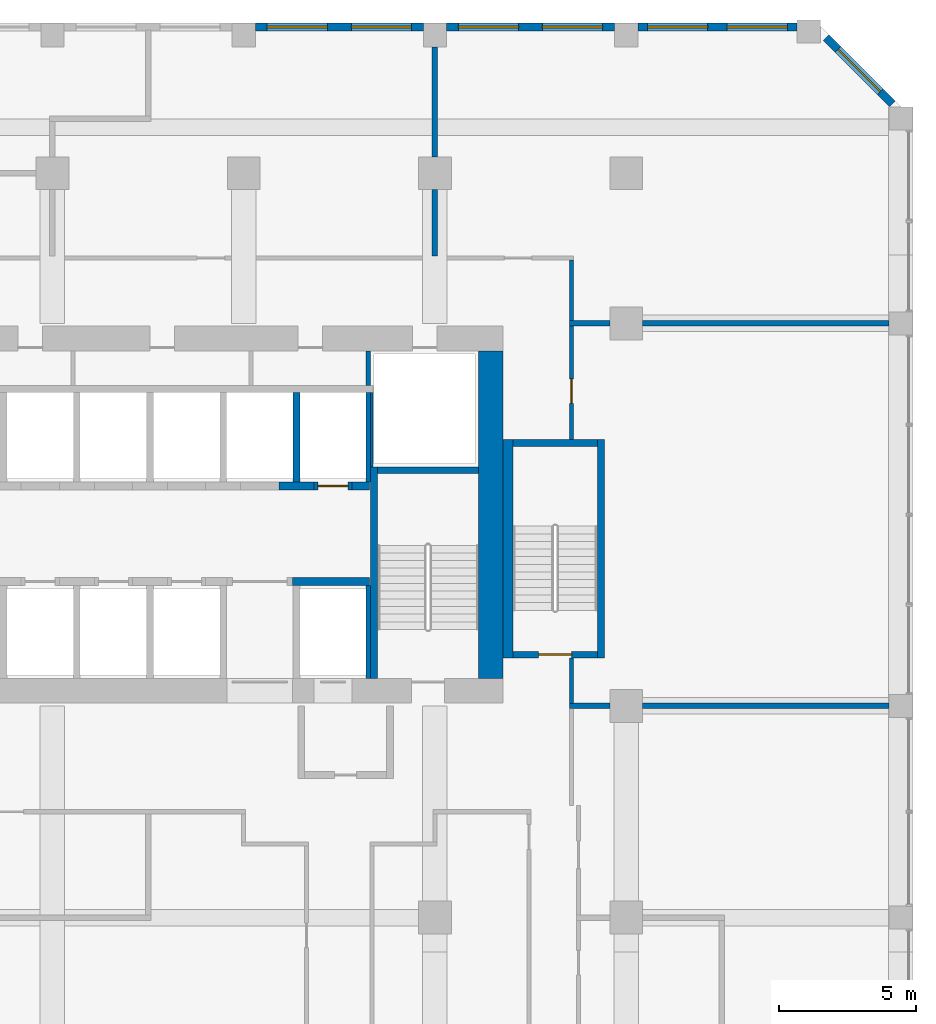
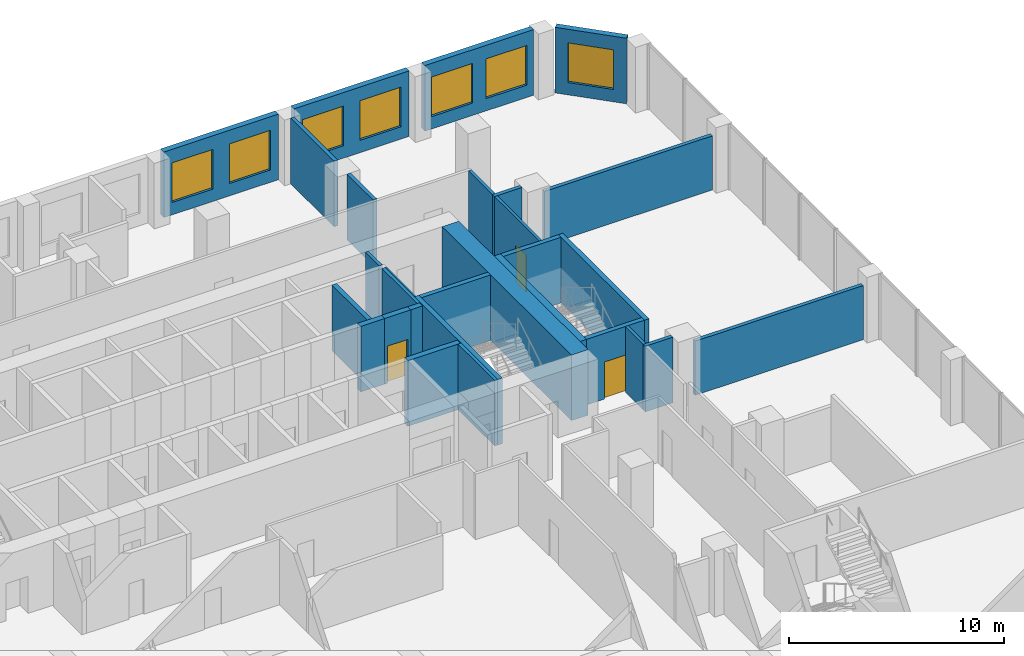
# One storey, part 14 of 17: 29 walls, 7 windows, 3 doors, 10 openings.
"""IFC4 building model written with IfcOpenShell, lengths in metres."""

from ifc_helpers import new_model, si_unit, direction, frame, frame_2d, origin, place, context, subcontext, project, spatial, rectangle, extrude, source, transform, mapped, material, layer, layer_set, type_object, element, fill, save


model = new_model("IFC4")

# Units and contexts
model_context = context("Model", 3, precision=1e-05, world=origin(), true_north=direction((0.0, 1.0)))
body_context = subcontext(model_context, "Body", "Model", "MODEL_VIEW")
ifc_project = project(units=[si_unit("LENGTHUNIT", "METRE"), si_unit("AREAUNIT", "SQUARE_METRE"), si_unit("VOLUMEUNIT", "CUBIC_METRE"), si_unit("PLANEANGLEUNIT", "RADIAN"), si_unit("MASSUNIT", "GRAM", prefix="KILO")], contexts=[model_context])

# Site, building, storey
site_placement = place(None, origin())
site = spatial("IfcSite", under=ifc_project, at=site_placement, CompositionType="ELEMENT")
building_placement = place(site_placement, origin())
building = spatial("IfcBuilding", under=site, at=building_placement, Name="Kilnfold Tower and Market Hall", CompositionType="ELEMENT")
storey_placement = place(building_placement, frame((0.0, 0.0, 100.60009765625)))
storey = spatial("IfcBuildingStorey", under=building, at=storey_placement, Name="L23", CompositionType="ELEMENT", Elevation=100.60009765625)

# Wall, opening, door
ifc_material_1 = material(Name="Gypsum board on steel studs", Category="steel")
ifc_layer_1 = layer(ifc_material_1, 0.14990234375)
ifc_layer_set_1 = layer_set([ifc_layer_1], Name="Gypsum board on steel studs")
wall_type_1 = type_object("IfcWallType", Name="WALL CORRIDOR 150", PredefinedType="PARTITIONING", material=ifc_layer_set_1)
wall_1_placement = place(storey_placement, frame((20.5, 17.75, 0.0), z_axis=(0.0, 0.0, 1.0), x_axis=(0.0, 1.0, 0.0)))
wall_1 = element("IfcWall", 1, at=wall_1_placement, inside=storey, type_object=wall_type_1, Name="Partition LY16.31", PredefinedType="PARTITIONING", context=body_context, shape_type="SweptSolid", body=[
    extrude(rectangle(XDim=4.159912109375, YDim=0.14990234375, at=frame_2d((2.080078125, 0.0))), origin(), (0.0, 0.0, 1.0), 3.719970703125),
])
opening_1_placement = place(wall_1_placement, frame((1.323974609375, 0.0, 0.0)))
opening_1 = element("IfcOpeningElement", 2, at=opening_1_placement, cuts=wall_1, Name="Opening D2", PredefinedType="OPENING", context=body_context, shape_type="SweptSolid", body=[
    extrude(rectangle(XDim=0.89990234375, YDim=2.10009765625, at=frame_2d((0.449951171875, 1.050048828125))), frame((0.0, 0.0849609375, 0.0), z_axis=(0.0, -1.0, 0.0), x_axis=(1.0, 0.0, 0.0)), (0.0, 0.0, 1.0), 0.169921875),
])
ifc_material_2 = material(Name="Timber veneer door leaf in steel frame", Category="steel")
door_type_1 = type_object("IfcDoorType", Name="DOOR ROOM 900 X2100", OperationType="NOTDEFINED", PredefinedType="DOOR", material=ifc_material_2)
door_1_placement = place(opening_1_placement, origin())
door_1 = element("IfcDoor", 3, at=door_1_placement, inside=storey, type_object=door_type_1, Name="Door D2", OperationType="SINGLE_SWING_RIGHT", OverallHeight=2.10009765625, OverallWidth=0.89990234375, PredefinedType="DOOR", context=body_context, shape_type="SweptSolid", body=[
    extrude(rectangle(XDim=0.89990234375, YDim=2.10009765625, at=frame_2d((0.449951171875, 1.050048828125))), frame((0.0, 0.02490234375, 0.0), z_axis=(0.0, -1.0, 0.0), x_axis=(1.0, 0.0, 0.0)), (0.0, 0.0, 1.0), 0.050048828125),
])
fill(opening_1, door_1)

# Walls
wall_2_placement = place(storey_placement, frame((20.5, 8.090087890625, 0.0), z_axis=(0.0, 0.0, 1.0), x_axis=(0.0, 1.0, 0.0)))
element("IfcWall", 4, at=wall_2_placement, inside=storey, type_object=wall_type_1, Name="Partition LY16.32", PredefinedType="PARTITIONING", context=body_context, shape_type="SweptSolid", body=[
    extrude(rectangle(XDim=1.659912109375, YDim=0.14990234375, at=frame_2d((0.830078125, 0.0))), origin(), (0.0, 0.0, 1.0), 3.719970703125),
])
wall_3_placement = place(storey_placement, frame((20.5, 22.090087890625, 0.0), z_axis=(0.0, 0.0, 1.0), x_axis=(0.0, 1.0, 0.0)))
element("IfcWall", 5, at=wall_3_placement, inside=storey, type_object=wall_type_1, Name="Partition LY16.33", PredefinedType="PARTITIONING", context=body_context, shape_type="SweptSolid", body=[
    extrude(rectangle(XDim=2.23486328125, YDim=0.14990234375, at=frame_2d((1.117431640625, 0.0))), origin(), (0.0, 0.0, 1.0), 3.719970703125),
])
ifc_material_3 = material(Name="Gypsum board on steel studs", Category="steel")
ifc_layer_2 = layer(ifc_material_3, 0.199951171875)
ifc_layer_set_2 = layer_set([ifc_layer_2], Name="Gypsum board on steel studs")
wall_type_2 = type_object("IfcWallType", Name="WALL PARTY 200", PredefinedType="PARTITIONING", material=ifc_layer_set_2)
wall_4_placement = place(storey_placement, frame((20.426025390625, 8.0, 0.0), z_axis=(0.0, 0.0, 1.0), x_axis=(1.0, 0.0, 0.0)))
element("IfcWall", 6, at=wall_4_placement, inside=storey, type_object=wall_type_2, Name="Partition LY16.57", PredefinedType="PARTITIONING", context=body_context, shape_type="SweptSolid", body=[
    extrude(rectangle(XDim=1.473876953125, YDim=0.199951171875, at=frame_2d((0.73681640625, 0.0))), origin(), (0.0, 0.0, 1.0), 3.719970703125),
])
for number, where, z_axis, x_axis, name in (
    (7, (23.10009765625, 8.0, 0.0), (0.0, 0.0, 1.0), (1.0, 0.0, 0.0), "Partition LY16.58"),
    (8, (23.10009765625, 22.0, 0.0), (0.0, 0.0, 1.0), (1.0, 0.0, 0.0), "Partition LY16.59"),
):
    element("IfcWall", number, at=place(storey_placement, frame(where, z_axis=z_axis, x_axis=x_axis)), inside=storey, type_object=wall_type_2, Name=name, PredefinedType="PARTITIONING", context=body_context, shape_type="SweptSolid", body=[
        extrude(rectangle(XDim=9.02490234375, YDim=0.199951171875, at=frame_2d((4.512451171875, 0.0))), origin(), (0.0, 0.0, 1.0), 3.06982421875),
    ])
wall_5_placement = place(storey_placement, frame((20.426025390625, 22.0, 0.0), z_axis=(0.0, 0.0, 1.0), x_axis=(1.0, 0.0, 0.0)))
element("IfcWall", 9, at=wall_5_placement, inside=storey, type_object=wall_type_2, Name="Partition LY16.60", PredefinedType="PARTITIONING", context=body_context, shape_type="SweptSolid", body=[
    extrude(rectangle(XDim=1.473876953125, YDim=0.199951171875, at=frame_2d((0.73681640625, 0.0))), origin(), (0.0, 0.0, 1.0), 3.719970703125),
])
wall_6_placement = place(storey_placement, frame((15.5, 28.10009765625, 0.0), z_axis=(0.0, 0.0, 1.0), x_axis=(0.0, 1.0, 0.0)))
element("IfcWall", 10, at=wall_6_placement, inside=storey, type_object=wall_type_2, Name="Partition LY16.61", PredefinedType="PARTITIONING", context=body_context, shape_type="SweptSolid", body=[
    extrude(rectangle(XDim=4.02490234375, YDim=0.199951171875, at=frame_2d((2.012451171875, 0.0))), origin(), (0.0, 0.0, 1.0), 3.719970703125),
])
wall_7_placement = place(storey_placement, frame((15.5, 24.47607421875, 0.0), z_axis=(0.0, 0.0, 1.0), x_axis=(0.0, 1.0, 0.0)))
element("IfcWall", 11, at=wall_7_placement, inside=storey, type_object=wall_type_2, Name="Partition LY16.62", PredefinedType="PARTITIONING", context=body_context, shape_type="SweptSolid", body=[
    extrude(rectangle(XDim=2.423828125, YDim=0.199951171875, at=frame_2d((1.2119140625, 0.0))), origin(), (0.0, 0.0, 1.0), 3.719970703125),
])
ifc_material_4 = material(Name="Concrete C70", Category="concrete")
ifc_layer_3 = layer(ifc_material_4, 0.25)
ifc_layer_set_3 = layer_set([ifc_layer_3], Name="Concrete C70")
wall_type_3 = type_object("IfcWallType", Name="CORE WALL 250 C70", PredefinedType="SHEAR", material=ifc_layer_set_3)
shared_shape_1 = source(origin(), body_context, "Body", "SweptSolid", [
    extrude(rectangle(XDim=7.75, YDim=0.25, at=frame_2d((3.875, 0.0))), origin(), (0.0, 0.0, 1.0), 3.719970703125),
])
wall_8_placement = place(storey_placement, frame((13.27490234375, 9.0, 0.0), z_axis=(0.0, 0.0, 1.0), x_axis=(0.0, 1.0, 0.0)))
element("IfcWall", 12, at=wall_8_placement, inside=storey, type_object=wall_type_3, Name="Stair enclosure ST2", PredefinedType="SHEAR", context=body_context, shape_type="MappedRepresentation", body=[
    mapped(shared_shape_1, transform((0.0, 0.0, 0.0))),
])
shared_shape_2 = source(origin(), body_context, "Body", "SweptSolid", [
    extrude(rectangle(XDim=3.7001953125, YDim=0.25, at=frame_2d((1.85009765625, 0.0))), origin(), (0.0, 0.0, 1.0), 3.719970703125),
])
wall_9_placement = place(storey_placement, frame((13.39990234375, 16.625, 0.0), z_axis=(0.0, 0.0, 1.0), x_axis=(1.0, 0.0, 0.0)))
element("IfcWall", 13, at=wall_9_placement, inside=storey, type_object=wall_type_3, Name="Stair enclosure ST2", PredefinedType="SHEAR", context=body_context, shape_type="MappedRepresentation", body=[
    mapped(shared_shape_2, transform((0.0, 0.0, 0.0))),
])
shared_shape_3 = source(origin(), body_context, "Body", "SweptSolid", [
    extrude(rectangle(XDim=8.0, YDim=0.25, at=frame_2d((4.0, 0.0))), origin(), (0.0, 0.0, 1.0), 3.719970703125),
])
wall_10_placement = place(storey_placement, frame((21.574951171875, 9.75, 0.0), z_axis=(0.0, 0.0, 1.0), x_axis=(0.0, 1.0, 0.0)))
element("IfcWall", 14, at=wall_10_placement, inside=storey, type_object=wall_type_3, Name="Stair enclosure ST5", PredefinedType="SHEAR", context=body_context, shape_type="MappedRepresentation", body=[
    mapped(shared_shape_3, transform((0.0, 0.0, 0.0))),
])

# Wall, opening, door
shared_shape_4 = source(origin(), body_context, "Body", "SweptSolid", [
    extrude(rectangle(XDim=3.099853515625, YDim=0.25, at=frame_2d((1.5498046875, 0.0))), origin(), (0.0, 0.0, 1.0), 3.719970703125),
])
wall_11_placement = place(storey_placement, frame((18.35009765625, 9.875, 0.0), z_axis=(0.0, 0.0, 1.0), x_axis=(1.0, 0.0, 0.0)))
wall_11 = element("IfcWall", 15, at=wall_11_placement, inside=storey, type_object=wall_type_3, Name="Stair enclosure ST5", PredefinedType="SHEAR", context=body_context, shape_type="MappedRepresentation", body=[
    mapped(shared_shape_4, transform((0.0, 0.0, 0.0))),
])
opening_2_placement = place(wall_11_placement, frame((0.949951171875, 0.0, 0.0)))
opening_2 = element("IfcOpeningElement", 16, at=opening_2_placement, cuts=wall_11, Name="Opening SD1", PredefinedType="OPENING", context=body_context, shape_type="SweptSolid", body=[
    extrude(rectangle(XDim=1.199951171875, YDim=2.10009765625, at=frame_2d((0.60009765625, 1.050048828125))), frame((0.0, 0.135009765625, 0.0), z_axis=(0.0, -1.0, 0.0), x_axis=(1.0, 0.0, 0.0)), (0.0, 0.0, 1.0), 0.27001953125),
])
ifc_material_5 = material(Name="Steel door set with fire-resisting leaf", Category="steel")
door_type_2 = type_object("IfcDoorType", Name="STAIR FLOOR DOOR 1200X2100", OperationType="NOTDEFINED", PredefinedType="DOOR", material=ifc_material_5)
door_2_placement = place(opening_2_placement, origin())
door_2 = element("IfcDoor", 17, at=door_2_placement, inside=storey, type_object=door_type_2, Name="Exit stair ST5 door", OperationType="DOUBLE_DOOR_SINGLE_SWING", OverallHeight=2.10009765625, OverallWidth=1.199951171875, PredefinedType="DOOR", context=body_context, shape_type="SweptSolid", body=[
    extrude(rectangle(XDim=1.199951171875, YDim=2.10009765625, at=frame_2d((0.60009765625, 1.050048828125))), frame((0.0, 0.02490234375, 0.0), z_axis=(0.0, -1.0, 0.0), x_axis=(1.0, 0.0, 0.0)), (0.0, 0.0, 1.0), 0.050048828125),
])
fill(opening_2, door_2)

# Walls
wall_12_placement = place(storey_placement, frame((18.35009765625, 17.625, 0.0), z_axis=(0.0, 0.0, 1.0), x_axis=(1.0, 0.0, 0.0)))
element("IfcWall", 18, at=wall_12_placement, inside=storey, type_object=wall_type_3, Name="Stair enclosure ST5", PredefinedType="SHEAR", context=body_context, shape_type="MappedRepresentation", body=[
    mapped(shared_shape_4, transform((0.0, 0.0, 0.0))),
])
ifc_material_6 = material(Name="Concrete C70", Category="concrete")
ifc_layer_4 = layer(ifc_material_6, 0.300048828125)
ifc_layer_set_4 = layer_set([ifc_layer_4], Name="Concrete C70")
wall_type_4 = type_object("IfcWallType", Name="CORE WALL 300 C70", PredefinedType="SHEAR", material=ifc_layer_set_4)
shared_shape_5 = source(origin(), body_context, "Body", "SweptSolid", [
    extrude(rectangle(XDim=1.280029296875, YDim=0.300048828125, at=frame_2d((0.64013671875, 0.0))), origin(), (0.0, 0.0, 1.0), 3.719970703125),
])
wall_13_placement = place(storey_placement, frame((9.7900390625, 16.050048828125, 0.0), z_axis=(0.0, 0.0, 1.0), x_axis=(1.0, 0.0, 0.0)))
element("IfcWall", 19, at=wall_13_placement, inside=storey, type_object=wall_type_4, Name="Core spine wall", PredefinedType="SHEAR", context=body_context, shape_type="MappedRepresentation", body=[
    mapped(shared_shape_5, transform((0.0, 0.0, 0.0))),
])
shared_shape_6 = source(origin(), body_context, "Body", "SweptSolid", [
    extrude(rectangle(XDim=2.820068359375, YDim=0.300048828125, at=frame_2d((1.41015625, 0.0))), origin(), (0.0, 0.0, 1.0), 3.719970703125),
])
wall_14_placement = place(storey_placement, frame((10.2900390625, 12.550048828125, 0.0), z_axis=(0.0, 0.0, 1.0), x_axis=(1.0, 0.0, 0.0)))
element("IfcWall", 20, at=wall_14_placement, inside=storey, type_object=wall_type_4, Name="Core spine wall", PredefinedType="SHEAR", context=body_context, shape_type="MappedRepresentation", body=[
    mapped(shared_shape_6, transform((0.0, 0.0, 0.0))),
])
shared_shape_7 = source(origin(), body_context, "Body", "SweptSolid", [
    extrude(rectangle(XDim=0.64013671875, YDim=0.300048828125, at=frame_2d((0.320068359375, 0.0))), origin(), (0.0, 0.0, 1.0), 3.719970703125),
])
wall_15_placement = place(storey_placement, frame((12.469970703125, 16.050048828125, 0.0), z_axis=(0.0, 0.0, 1.0), x_axis=(1.0, 0.0, 0.0)))
element("IfcWall", 21, at=wall_15_placement, inside=storey, type_object=wall_type_4, Name="Core spine wall", PredefinedType="SHEAR", context=body_context, shape_type="MappedRepresentation", body=[
    mapped(shared_shape_7, transform((0.0, 0.0, 0.0))),
])
ifc_material_7 = material(Name="Concrete C70", Category="concrete")
ifc_layer_5 = layer(ifc_material_7, 0.89990234375)
ifc_layer_set_5 = layer_set([ifc_layer_5], Name="Concrete C70")
wall_type_5 = type_object("IfcWallType", Name="CORE WALL 900 C70", PredefinedType="SHEAR", material=ifc_layer_set_5)
shared_shape_8 = source(origin(), body_context, "Body", "SweptSolid", [
    extrude(rectangle(XDim=12.0, YDim=0.89990234375, at=frame_2d((6.0, 0.0))), origin(), (0.0, 0.0, 1.0), 3.719970703125),
])
wall_16_placement = place(storey_placement, frame((17.550048828125, 9.0, 0.0), z_axis=(0.0, 0.0, 1.0), x_axis=(0.0, 1.0, 0.0)))
element("IfcWall", 22, at=wall_16_placement, inside=storey, type_object=wall_type_5, Name="Core outer wall east", PredefinedType="SHEAR", context=body_context, shape_type="MappedRepresentation", body=[
    mapped(shared_shape_8, transform((0.0, 0.0, 0.0))),
])
ifc_material_8 = material(Name="Concrete C70", Category="concrete")
ifc_layer_6 = layer(ifc_material_8, 0.35009765625)
ifc_layer_set_6 = layer_set([ifc_layer_6], Name="Concrete C70")
wall_type_6 = type_object("IfcWallType", Name="CORE WALL 350 C70", PredefinedType="SHEAR", material=ifc_layer_set_6)
shared_shape_9 = source(origin(), body_context, "Body", "SweptSolid", [
    extrude(rectangle(XDim=8.0, YDim=0.35009765625, at=frame_2d((4.0, 0.0))), origin(), (0.0, 0.0, 1.0), 3.719970703125),
])
wall_17_placement = place(storey_placement, frame((18.175048828125, 9.75, 0.0), z_axis=(0.0, 0.0, 1.0), x_axis=(0.0, 1.0, 0.0)))
element("IfcWall", 23, at=wall_17_placement, inside=storey, type_object=wall_type_6, Name="Stair enclosure ST5", PredefinedType="SHEAR", context=body_context, shape_type="MappedRepresentation", body=[
    mapped(shared_shape_9, transform((0.0, 0.0, 0.0))),
])

# Wall, opening, window
ifc_material_9 = material(Name="Precast concrete C50/60", Category="concrete")
ifc_layer_7 = layer(ifc_material_9, 0.300048828125)
ifc_layer_set_7 = layer_set([ifc_layer_7], Name="Precast concrete C50/60")
wall_type_7 = type_object("IfcWallType", Name="PRECAST WALL 300", PredefinedType="SOLIDWALL", material=ifc_layer_set_7)
shared_shape_10 = source(origin(), body_context, "Body", "SweptSolid", [
    extrude(rectangle(XDim=3.429443359375, YDim=0.300048828125, at=frame_2d((1.71484375, 0.0))), origin(), (0.0, 0.0, 1.0), 3.719970703125),
])
wall_18_placement = place(storey_placement, frame((32.243896484375, 30.0439453125, 0.0), z_axis=(0.0, 0.0, 1.0), x_axis=(-0.707106781187, 0.707106781187, 0.0)))
wall_18 = element("IfcWall", 24, at=wall_18_placement, inside=storey, type_object=wall_type_7, Name="External wall L23 NE", PredefinedType="SOLIDWALL", context=body_context, shape_type="MappedRepresentation", body=[
    mapped(shared_shape_10, transform((0.0, 0.0, 0.0))),
])
opening_3_placement = place(wall_18_placement, frame((0.61474609375, 0.0, 0.699951171875)))
opening_3 = element("IfcOpeningElement", 25, at=opening_3_placement, cuts=wall_18, Name="Opening W1", PredefinedType="OPENING", context=body_context, shape_type="SweptSolid", body=[
    extrude(rectangle(XDim=2.199951171875, YDim=2.25, at=frame_2d((1.10009765625, 1.125))), frame((0.0, 0.16015625, 0.0), z_axis=(0.0, -1.0, 0.0), x_axis=(1.0, 0.0, 0.0)), (0.0, 0.0, 1.0), 0.320068359375),
])
ifc_material_10 = material(Name="Aluminium frame and double glazing", Category="aluminium")
window_type = type_object("IfcWindowType", Name="WINDOW W1 2200X2250", PartitioningType="SINGLE_PANEL", PredefinedType="WINDOW", material=ifc_material_10)
window_1_placement = place(opening_3_placement, origin())
window_1 = element("IfcWindow", 26, at=window_1_placement, inside=storey, type_object=window_type, Name="Window W1 L23 NE-1", OverallHeight=2.25, OverallWidth=2.199951171875, PartitioningType="SINGLE_PANEL", PredefinedType="WINDOW", context=body_context, shape_type="SweptSolid", body=[
    extrude(rectangle(XDim=2.199951171875, YDim=2.25, at=frame_2d((1.10009765625, 1.125))), frame((0.0, 0.030029296875, 0.0), z_axis=(0.0, -1.0, 0.0), x_axis=(1.0, 0.0, 0.0)), (0.0, 0.0, 1.0), 0.06005859375),
])
fill(opening_3, window_1)

# Wall, openings, windows
shared_shape_11 = source(origin(), body_context, "Body", "SweptSolid", [
    extrude(rectangle(XDim=5.831787109375, YDim=0.300048828125, at=frame_2d((2.916015625, 0.0))), origin(), (0.0, 0.0, 1.0), 3.719970703125),
])
wall_19_placement = place(storey_placement, frame((28.7568359375, 32.85009765625, 0.0), z_axis=(0.0, 0.0, 1.0), x_axis=(-1.0, 0.0, 0.0)))
wall_19 = element("IfcWall", 27, at=wall_19_placement, inside=storey, type_object=wall_type_7, Name="External wall L23 N", PredefinedType="SOLIDWALL", context=body_context, shape_type="MappedRepresentation", body=[
    mapped(shared_shape_11, transform((0.0, 0.0, 0.0))),
])
opening_4_placement = place(wall_19_placement, frame((0.35791015625, 0.0, 0.699951171875)))
opening_4 = element("IfcOpeningElement", 28, at=opening_4_placement, cuts=wall_19, Name="Opening W1", PredefinedType="OPENING", context=body_context, shape_type="SweptSolid", body=[
    extrude(rectangle(XDim=2.199951171875, YDim=2.25, at=frame_2d((1.10009765625, 1.125))), frame((0.0, 0.16015625, 0.0), z_axis=(0.0, -1.0, 0.0), x_axis=(1.0, 0.0, 0.0)), (0.0, 0.0, 1.0), 0.320068359375),
])
opening_5_placement = place(wall_19_placement, frame((3.273681640625, 0.0, 0.699951171875)))
opening_5 = element("IfcOpeningElement", 29, at=opening_5_placement, cuts=wall_19, Name="Opening W1", PredefinedType="OPENING", context=body_context, shape_type="SweptSolid", body=[
    extrude(rectangle(XDim=2.199951171875, YDim=2.25, at=frame_2d((1.10009765625, 1.125))), frame((0.0, 0.16015625, 0.0), z_axis=(0.0, -1.0, 0.0), x_axis=(1.0, 0.0, 0.0)), (0.0, 0.0, 1.0), 0.320068359375),
])
window_2_placement = place(opening_4_placement, origin())
window_2 = element("IfcWindow", 30, at=window_2_placement, inside=storey, type_object=window_type, Name="Window W1 L23 N-1", OverallHeight=2.25, OverallWidth=2.199951171875, PartitioningType="SINGLE_PANEL", PredefinedType="WINDOW", context=body_context, shape_type="SweptSolid", body=[
    extrude(rectangle(XDim=2.199951171875, YDim=2.25, at=frame_2d((1.10009765625, 1.125))), frame((0.0, 0.030029296875, 0.0), z_axis=(0.0, -1.0, 0.0), x_axis=(1.0, 0.0, 0.0)), (0.0, 0.0, 1.0), 0.06005859375),
])
fill(opening_4, window_2)
window_3_placement = place(opening_5_placement, origin())
window_3 = element("IfcWindow", 31, at=window_3_placement, inside=storey, type_object=window_type, Name="Window W1 L23 N-2", OverallHeight=2.25, OverallWidth=2.199951171875, PartitioningType="SINGLE_PANEL", PredefinedType="WINDOW", context=body_context, shape_type="SweptSolid", body=[
    extrude(rectangle(XDim=2.199951171875, YDim=2.25, at=frame_2d((1.10009765625, 1.125))), frame((0.0, 0.030029296875, 0.0), z_axis=(0.0, -1.0, 0.0), x_axis=(1.0, 0.0, 0.0)), (0.0, 0.0, 1.0), 0.06005859375),
])
fill(opening_5, window_3)

shared_shape_12 = source(origin(), body_context, "Body", "SweptSolid", [
    extrude(rectangle(XDim=6.14990234375, YDim=0.300048828125, at=frame_2d((3.074951171875, 0.0))), origin(), (0.0, 0.0, 1.0), 3.719970703125),
])
wall_20_placement = place(storey_placement, frame((22.074951171875, 32.85009765625, 0.0), z_axis=(0.0, 0.0, 1.0), x_axis=(-1.0, 0.0, 0.0)))
wall_20 = element("IfcWall", 32, at=wall_20_placement, inside=storey, type_object=wall_type_7, Name="External wall L23 N", PredefinedType="SOLIDWALL", context=body_context, shape_type="MappedRepresentation", body=[
    mapped(shared_shape_12, transform((0.0, 0.0, 0.0))),
])
opening_6_placement = place(wall_20_placement, frame((0.4375, 0.0, 0.699951171875)))
opening_6 = element("IfcOpeningElement", 33, at=opening_6_placement, cuts=wall_20, Name="Opening W1", PredefinedType="OPENING", context=body_context, shape_type="SweptSolid", body=[
    extrude(rectangle(XDim=2.199951171875, YDim=2.25, at=frame_2d((1.10009765625, 1.125))), frame((0.0, 0.16015625, 0.0), z_axis=(0.0, -1.0, 0.0), x_axis=(1.0, 0.0, 0.0)), (0.0, 0.0, 1.0), 0.320068359375),
])
opening_7_placement = place(wall_20_placement, frame((3.512451171875, 0.0, 0.699951171875)))
opening_7 = element("IfcOpeningElement", 34, at=opening_7_placement, cuts=wall_20, Name="Opening W1", PredefinedType="OPENING", context=body_context, shape_type="SweptSolid", body=[
    extrude(rectangle(XDim=2.199951171875, YDim=2.25, at=frame_2d((1.10009765625, 1.125))), frame((0.0, 0.16015625, 0.0), z_axis=(0.0, -1.0, 0.0), x_axis=(1.0, 0.0, 0.0)), (0.0, 0.0, 1.0), 0.320068359375),
])
window_4_placement = place(opening_6_placement, origin())
window_4 = element("IfcWindow", 35, at=window_4_placement, inside=storey, type_object=window_type, Name="Window W1 L23 N-1", OverallHeight=2.25, OverallWidth=2.199951171875, PartitioningType="SINGLE_PANEL", PredefinedType="WINDOW", context=body_context, shape_type="SweptSolid", body=[
    extrude(rectangle(XDim=2.199951171875, YDim=2.25, at=frame_2d((1.10009765625, 1.125))), frame((0.0, 0.030029296875, 0.0), z_axis=(0.0, -1.0, 0.0), x_axis=(1.0, 0.0, 0.0)), (0.0, 0.0, 1.0), 0.06005859375),
])
fill(opening_6, window_4)
window_5_placement = place(opening_7_placement, origin())
window_5 = element("IfcWindow", 36, at=window_5_placement, inside=storey, type_object=window_type, Name="Window W1 L23 N-2", OverallHeight=2.25, OverallWidth=2.199951171875, PartitioningType="SINGLE_PANEL", PredefinedType="WINDOW", context=body_context, shape_type="SweptSolid", body=[
    extrude(rectangle(XDim=2.199951171875, YDim=2.25, at=frame_2d((1.10009765625, 1.125))), frame((0.0, 0.030029296875, 0.0), z_axis=(0.0, -1.0, 0.0), x_axis=(1.0, 0.0, 0.0)), (0.0, 0.0, 1.0), 0.06005859375),
])
fill(opening_7, window_5)

wall_21_placement = place(storey_placement, frame((15.074951171875, 32.85009765625, 0.0), z_axis=(0.0, 0.0, 1.0), x_axis=(-1.0, 0.0, 0.0)))
wall_21 = element("IfcWall", 37, at=wall_21_placement, inside=storey, type_object=wall_type_7, Name="External wall L23 N", PredefinedType="SOLIDWALL", context=body_context, shape_type="MappedRepresentation", body=[
    mapped(shared_shape_12, transform((0.0, 0.0, 0.0))),
])
opening_8_placement = place(wall_21_placement, frame((0.4375, 0.0, 0.699951171875)))
opening_8 = element("IfcOpeningElement", 38, at=opening_8_placement, cuts=wall_21, Name="Opening W1", PredefinedType="OPENING", context=body_context, shape_type="SweptSolid", body=[
    extrude(rectangle(XDim=2.199951171875, YDim=2.25, at=frame_2d((1.10009765625, 1.125))), frame((0.0, 0.16015625, 0.0), z_axis=(0.0, -1.0, 0.0), x_axis=(1.0, 0.0, 0.0)), (0.0, 0.0, 1.0), 0.320068359375),
])
opening_9_placement = place(wall_21_placement, frame((3.512451171875, 0.0, 0.699951171875)))
opening_9 = element("IfcOpeningElement", 39, at=opening_9_placement, cuts=wall_21, Name="Opening W1", PredefinedType="OPENING", context=body_context, shape_type="SweptSolid", body=[
    extrude(rectangle(XDim=2.199951171875, YDim=2.25, at=frame_2d((1.10009765625, 1.125))), frame((0.0, 0.16015625, 0.0), z_axis=(0.0, -1.0, 0.0), x_axis=(1.0, 0.0, 0.0)), (0.0, 0.0, 1.0), 0.320068359375),
])
window_6_placement = place(opening_8_placement, origin())
window_6 = element("IfcWindow", 40, at=window_6_placement, inside=storey, type_object=window_type, Name="Window W1 L23 N-1", OverallHeight=2.25, OverallWidth=2.199951171875, PartitioningType="SINGLE_PANEL", PredefinedType="WINDOW", context=body_context, shape_type="SweptSolid", body=[
    extrude(rectangle(XDim=2.199951171875, YDim=2.25, at=frame_2d((1.10009765625, 1.125))), frame((0.0, 0.030029296875, 0.0), z_axis=(0.0, -1.0, 0.0), x_axis=(1.0, 0.0, 0.0)), (0.0, 0.0, 1.0), 0.06005859375),
])
fill(opening_8, window_6)
window_7_placement = place(opening_9_placement, origin())
window_7 = element("IfcWindow", 41, at=window_7_placement, inside=storey, type_object=window_type, Name="Window W1 L23 N-2", OverallHeight=2.25, OverallWidth=2.199951171875, PartitioningType="SINGLE_PANEL", PredefinedType="WINDOW", context=body_context, shape_type="SweptSolid", body=[
    extrude(rectangle(XDim=2.199951171875, YDim=2.25, at=frame_2d((1.10009765625, 1.125))), frame((0.0, 0.030029296875, 0.0), z_axis=(0.0, -1.0, 0.0), x_axis=(1.0, 0.0, 0.0)), (0.0, 0.0, 1.0), 0.06005859375),
])
fill(opening_9, window_7)

# Wall, opening, door
ifc_material_11 = material(Name="Gypsum shaft wall system")
ifc_layer_8 = layer(ifc_material_11, 0.300048828125)
ifc_layer_set_8 = layer_set([ifc_layer_8], Name="Gypsum shaft wall system")
wall_type_8 = type_object("IfcWallType", Name="SHAFT WALL 300", PredefinedType="PARTITIONING", material=ifc_layer_set_8)
shared_shape_13 = source(origin(), body_context, "Body", "SweptSolid", [
    extrude(rectangle(XDim=1.39990234375, YDim=0.300048828125, at=frame_2d((0.699951171875, 0.0))), origin(), (0.0, 0.0, 1.0), 3.719970703125),
])
wall_22_placement = place(storey_placement, frame((11.070068359375, 16.050048828125, 0.0), z_axis=(0.0, 0.0, 1.0), x_axis=(1.0, 0.0, 0.0)))
wall_22 = element("IfcWall", 42, at=wall_22_placement, inside=storey, type_object=wall_type_8, Name="Lift shaft front wall", PredefinedType="PARTITIONING", context=body_context, shape_type="MappedRepresentation", body=[
    mapped(shared_shape_13, transform((0.0, 0.0, 0.0))),
])
opening_10_placement = place(wall_22_placement, frame((0.14990234375, 0.0, 0.0)))
opening_10 = element("IfcOpeningElement", 43, at=opening_10_placement, cuts=wall_22, Name="Opening LD2", PredefinedType="OPENING", context=body_context, shape_type="SweptSolid", body=[
    extrude(rectangle(XDim=1.10009765625, YDim=2.10009765625, at=frame_2d((0.550048828125, 1.050048828125))), frame((0.0, 0.16015625, 0.0), z_axis=(0.0, -1.0, 0.0), x_axis=(1.0, 0.0, 0.0)), (0.0, 0.0, 1.0), 0.320068359375),
])
ifc_material_12 = material(Name="Steel door set with fire-resisting leaf", Category="steel")
door_type_3 = type_object("IfcDoorType", Name="LANDING DOOR 1100X2100", OperationType="NOTDEFINED", PredefinedType="DOOR", material=ifc_material_12)
door_3_placement = place(opening_10_placement, origin())
door_3 = element("IfcDoor", 44, at=door_3_placement, inside=storey, type_object=door_type_3, Name="Landing door LR6", OperationType="DOUBLE_DOOR_SLIDING", OverallHeight=2.10009765625, OverallWidth=1.10009765625, PredefinedType="DOOR", context=body_context, shape_type="SweptSolid", body=[
    extrude(rectangle(XDim=1.10009765625, YDim=2.10009765625, at=frame_2d((0.550048828125, 1.050048828125))), frame((0.0, 0.02490234375, 0.0), z_axis=(0.0, -1.0, 0.0), x_axis=(1.0, 0.0, 0.0)), (0.0, 0.0, 1.0), 0.050048828125),
])
fill(opening_10, door_3)

# Walls
ifc_material_13 = material(Name="Gypsum shaft wall system")
ifc_layer_9 = layer(ifc_material_13, 0.1650390625)
ifc_layer_set_9 = layer_set([ifc_layer_9], Name="Gypsum shaft wall system")
wall_type_9 = type_object("IfcWallType", Name="SHAFT WALL 165", PredefinedType="PARTITIONING", material=ifc_layer_set_9)
shared_shape_14 = source(origin(), body_context, "Body", "SweptSolid", [
    extrude(rectangle(XDim=3.275146484375, YDim=0.1650390625, at=frame_2d((1.6376953125, 0.0))), origin(), (0.0, 0.0, 1.0), 3.719970703125),
])
wall_23_placement = place(storey_placement, frame((13.0673828125, 16.199951171875, 0.0), z_axis=(0.0, 0.0, 1.0), x_axis=(0.0, 1.0, 0.0)))
element("IfcWall", 45, at=wall_23_placement, inside=storey, type_object=wall_type_9, Name="Lift shaft wall", PredefinedType="PARTITIONING", context=body_context, shape_type="MappedRepresentation", body=[
    mapped(shared_shape_14, transform((0.0, 0.0, 0.0))),
])
shared_shape_15 = source(origin(), body_context, "Body", "SweptSolid", [
    extrude(rectangle(XDim=1.27490234375, YDim=0.1650390625, at=frame_2d((0.637451171875, 0.0))), origin(), (0.0, 0.0, 1.0), 3.719970703125),
])
wall_24_placement = place(storey_placement, frame((13.0673828125, 19.72509765625, 0.0), z_axis=(0.0, 0.0, 1.0), x_axis=(0.0, 1.0, 0.0)))
element("IfcWall", 46, at=wall_24_placement, inside=storey, type_object=wall_type_9, Name="Lift shaft wall", PredefinedType="PARTITIONING", context=body_context, shape_type="MappedRepresentation", body=[
    mapped(shared_shape_15, transform((0.0, 0.0, 0.0))),
])
ifc_material_14 = material(Name="Gypsum shaft wall system")
ifc_layer_10 = layer(ifc_material_14, 0.25)
ifc_layer_set_10 = layer_set([ifc_layer_10], Name="Gypsum shaft wall system")
wall_type_10 = type_object("IfcWallType", Name="SHAFT WALL 250", PredefinedType="PARTITIONING", material=ifc_layer_set_10)
shared_shape_16 = source(origin(), body_context, "Body", "SweptSolid", [
    extrude(rectangle(XDim=3.275146484375, YDim=0.25, at=frame_2d((1.6376953125, 0.0))), origin(), (0.0, 0.0, 1.0), 3.719970703125),
])
wall_25_placement = place(storey_placement, frame((10.429931640625, 16.199951171875, 0.0), z_axis=(0.0, 0.0, 1.0), x_axis=(0.0, 1.0, 0.0)))
element("IfcWall", 47, at=wall_25_placement, inside=storey, type_object=wall_type_10, Name="Lift shaft wall", PredefinedType="PARTITIONING", context=body_context, shape_type="MappedRepresentation", body=[
    mapped(shared_shape_16, transform((0.0, 0.0, 0.0))),
])
ifc_material_15 = material(Name="Gypsum shaft wall system")
ifc_layer_11 = layer(ifc_material_15, 0.0849609375)
ifc_layer_set_11 = layer_set([ifc_layer_11], Name="Gypsum shaft wall system")
wall_type_11 = type_object("IfcWallType", Name="SHAFT WALL 85", PredefinedType="PARTITIONING", material=ifc_layer_set_11)
shared_shape_17 = source(origin(), body_context, "Body", "SweptSolid", [
    extrude(rectangle(XDim=2.72509765625, YDim=0.0849609375, at=frame_2d((1.362548828125, 0.0))), origin(), (0.0, 0.0, 1.0), 3.719970703125),
])
wall_26_placement = place(storey_placement, frame((13.1923828125, 16.75, 0.0), z_axis=(0.0, 0.0, 1.0), x_axis=(0.0, 1.0, 0.0)))
element("IfcWall", 48, at=wall_26_placement, inside=storey, type_object=wall_type_11, Name="Lift shaft wall", PredefinedType="PARTITIONING", context=body_context, shape_type="MappedRepresentation", body=[
    mapped(shared_shape_17, transform((0.0, 0.0, 0.0))),
])
shared_shape_18 = source(origin(), body_context, "Body", "SweptSolid", [
    extrude(rectangle(XDim=3.39990234375, YDim=0.1650390625, at=frame_2d((1.699951171875, 0.0))), origin(), (0.0, 0.0, 1.0), 3.719970703125),
])
wall_27_placement = place(storey_placement, frame((13.0673828125, 9.0, 0.0), z_axis=(0.0, 0.0, 1.0), x_axis=(0.0, 1.0, 0.0)))
element("IfcWall", 49, at=wall_27_placement, inside=storey, type_object=wall_type_9, Name="Lift shaft wall", PredefinedType="PARTITIONING", context=body_context, shape_type="MappedRepresentation", body=[
    mapped(shared_shape_18, transform((0.0, 0.0, 0.0))),
])

save(model, "model.ifc")
